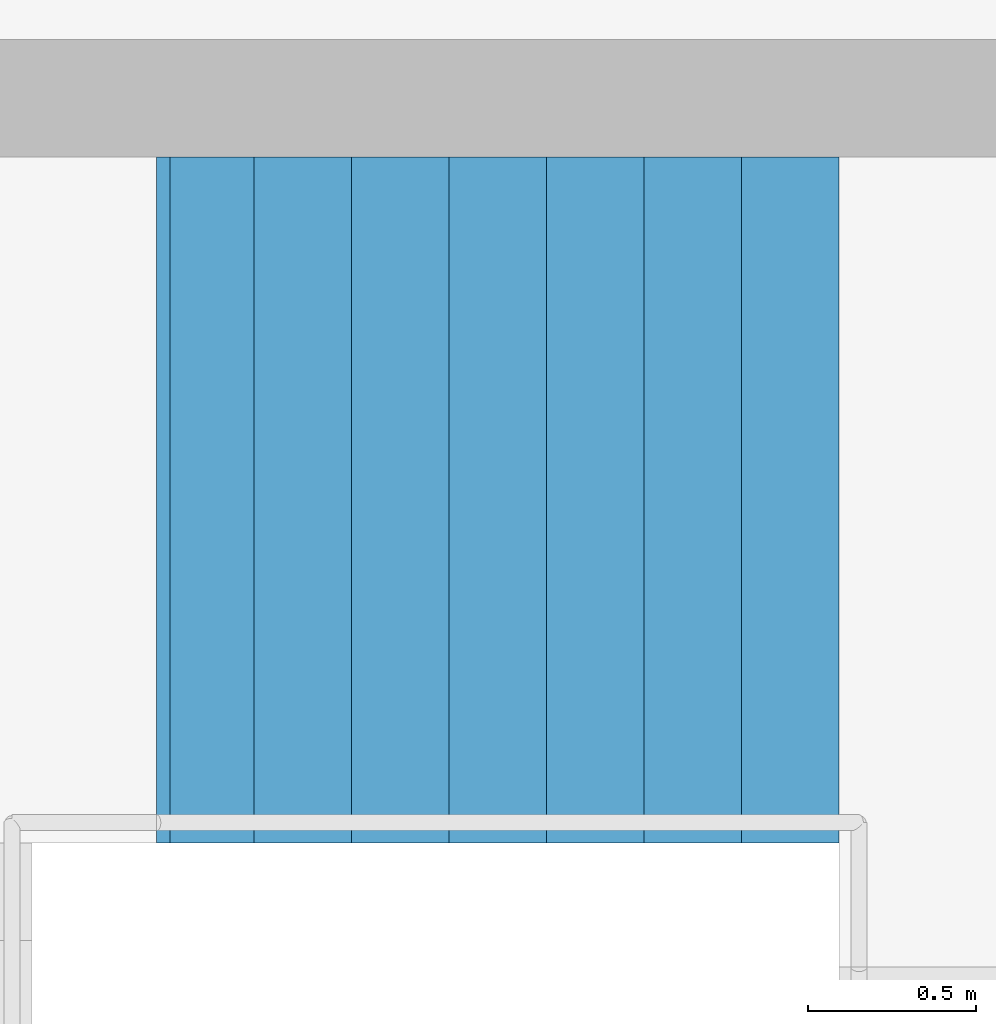
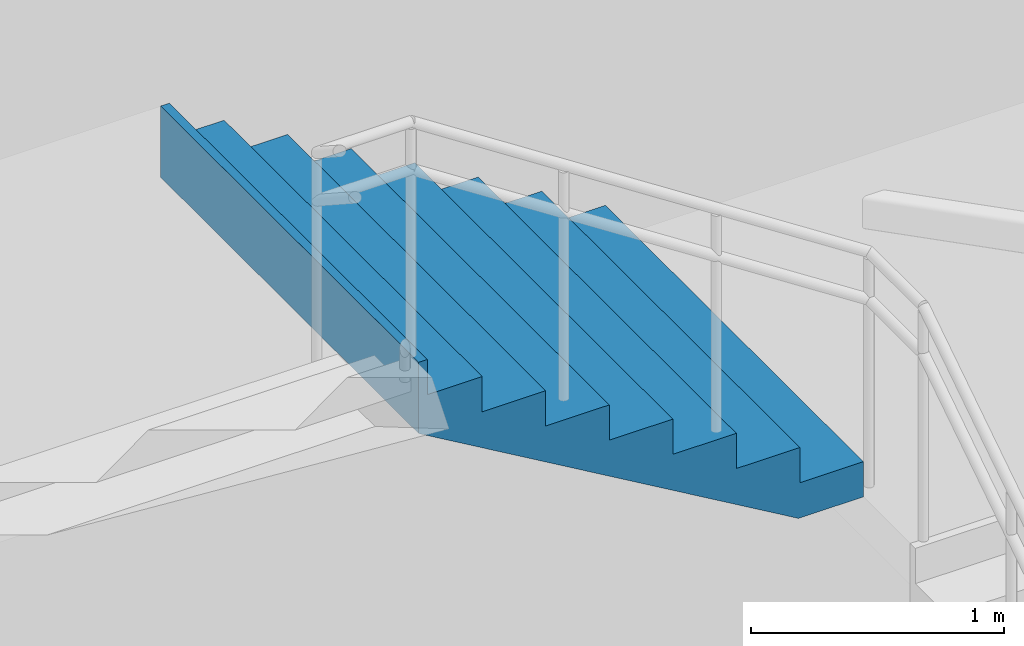
# One storey, part 56 of 72: 1 stair flight, 1 element without a shape of its own.
"""IFC4 building model written with IfcOpenShell, lengths in metres."""

from ifc_helpers import new_model, si_unit, direction, frame, origin, place, context, subcontext, project, spatial, triangles, material, type_object, element, aggregate, save


model = new_model("IFC4")

# Units and contexts
model_context = context("Model", 3, precision=1e-05, world=origin(), true_north=direction((0.0, 1.0)))
body_context = subcontext(model_context, "Body", "Model", "MODEL_VIEW")
ifc_project = project(units=[si_unit("LENGTHUNIT", "METRE"), si_unit("AREAUNIT", "SQUARE_METRE"), si_unit("VOLUMEUNIT", "CUBIC_METRE"), si_unit("PLANEANGLEUNIT", "RADIAN"), si_unit("MASSUNIT", "GRAM", prefix="KILO")], contexts=[model_context])

# Site, building, storey
site_placement = place(None, origin())
site = spatial("IfcSite", under=ifc_project, at=site_placement, CompositionType="ELEMENT")
building_placement = place(site_placement, origin())
building = spatial("IfcBuilding", under=site, at=building_placement, Name="Sillaruma Civic Art Gallery", CompositionType="ELEMENT")
storey_placement = place(building_placement, frame((0.0, 0.0, 10.8798828125)))
storey = spatial("IfcBuildingStorey", under=building, at=storey_placement, Name="L02", CompositionType="ELEMENT", Elevation=10.8798828125)

# Stair, stair flight
ifc_material = material(Name="Concrete H35 (35 MPa)", Category="concrete")
stair_type = type_object("IfcStairType", Name="STR-4F-32", PredefinedType="USERDEFINED", material=ifc_material)
stair_placement = place(storey_placement, origin())
stair = element("IfcStair", 1, at=stair_placement, inside=storey, type_object=stair_type, Name="Protected Exit Stair ST-04 (East Bar) (L02)", ObjectType="THREE_RETURN_STAIR", PredefinedType="USERDEFINED")
stair_flight_type = type_object("IfcStairFlightType", Name="SFL-STR-8", PredefinedType="STRAIGHT", material=ifc_material)
stair_flight_placement = place(storey_placement, frame((103.300048828125, 56.669921875, 2.72021484375), z_axis=(0.0, 0.0, 1.0), x_axis=(-1.0, 0.0, 0.0)))
stair_flight = element("IfcStairFlight", 2, at=stair_flight_placement, type_object=stair_flight_type, Name="ST-04 flight 3", NumberOfRisers=8, NumberOfTreads=7, PredefinedType="STRAIGHT", RiserHeight=0.17, TreadLength=0.29, context=body_context, shape_type="Tessellation", body=[
    triangles([(0.0, -1.02001953125, 0.0), (0.29, -1.02001953125, 0.0), (0.296443, -1.02001953125, 0.0), (0.58, -1.02001953125, 0.166223), (0.87, -1.02001953125, 0.336223), (1.16, -1.02001953125, 0.506223), (1.45, -1.02001953125, 0.676223), (1.74, -1.02001953125, 0.846223), (1.990029, -1.02001953125, 0.992792), (2.030029, -1.02001953125, 1.01624), (2.030029, -1.02001953125, 1.36), (1.990029, -1.02001953125, 1.36), (1.990029, -1.02001953125, 1.19), (1.74, -1.02001953125, 1.19), (1.74, -1.02001953125, 1.02), (1.45, -1.02001953125, 1.02), (1.45, -1.02001953125, 0.85), (1.16, -1.02001953125, 0.85), (1.16, -1.02001953125, 0.68), (0.87, -1.02001953125, 0.68), (0.87, -1.02001953125, 0.51), (0.58, -1.02001953125, 0.51), (0.58, -1.02001953125, 0.34), (0.296443, -1.02001953125, 0.34), (0.29, -1.02001953125, 0.34), (0.29, -1.02001953125, 0.17), (0.0, -1.02001953125, 0.17), (0.0, -0.05, 0.0), (0.29, -0.05, 0.0), (0.296443, -0.05, 0.0), (0.58, -0.05, 0.166223), (0.87, -0.05, 0.336223), (1.16, -0.05, 0.506223), (1.45, -0.05, 0.676223), (1.74, -0.05, 0.846223), (1.990029, -0.05, 0.992792), (2.030029, -0.05, 1.01624), (2.030029, -0.05, 1.36), (1.990029, -0.05, 1.36), (1.990029, -0.05, 1.19), (1.74, -0.05, 1.19), (1.74, -0.05, 1.02), (1.45, -0.05, 1.02), (1.45, -0.05, 0.85), (1.16, -0.05, 0.85), (1.16, -0.05, 0.68), (0.87, -0.05, 0.68), (0.87, -0.05, 0.51), (0.58, -0.05, 0.51), (0.58, -0.05, 0.34), (0.296443, -0.05, 0.34), (0.29, -0.05, 0.34), (0.29, -0.05, 0.17), (0.0, -0.05, 0.17), (0.0, -0.0375, 0.0), (0.29, -0.0375, 0.0), (0.296443, -0.0375, 0.0), (0.58, -0.0375, 0.166223), (0.87, -0.0375, 0.336223), (1.16, -0.0375, 0.506223), (1.45, -0.0375, 0.676223), (1.74, -0.0375, 0.846223), (1.990029, -0.0375, 0.992792), (2.030029, -0.0375, 1.01624), (2.030029, -0.0375, 1.36), (1.990029, -0.0375, 1.36), (1.990029, -0.0375, 1.19), (1.74, -0.0375, 1.19), (1.74, -0.0375, 1.02), (1.45, -0.0375, 1.02), (1.45, -0.0375, 0.85), (1.16, -0.0375, 0.85), (1.16, -0.0375, 0.68), (0.87, -0.0375, 0.68), (0.87, -0.0375, 0.51), (0.58, -0.0375, 0.51), (0.58, -0.0375, 0.34), (0.296443, -0.0375, 0.34), (0.29, -0.0375, 0.34), (0.29, -0.0375, 0.17), (0.0, -0.0375, 0.17), (0.0, -0.025, 0.0), (0.29, -0.025, 0.0), (0.296443, -0.025, 0.0), (0.58, -0.025, 0.166223), (0.87, -0.025, 0.336223), (1.16, -0.025, 0.506223), (1.45, -0.025, 0.676223), (1.74, -0.025, 0.846223), (1.990029, -0.025, 0.992792), (2.030029, -0.025, 1.01624), (2.030029, -0.025, 1.36), (1.990029, -0.025, 1.36), (1.990029, -0.025, 1.19), (1.74, -0.025, 1.19), (1.74, -0.025, 1.02), (1.45, -0.025, 1.02), (1.45, -0.025, 0.85), (1.16, -0.025, 0.85), (1.16, -0.025, 0.68), (0.87, -0.025, 0.68), (0.87, -0.025, 0.51), (0.58, -0.025, 0.51), (0.58, -0.025, 0.34), (0.296443, -0.025, 0.34), (0.29, -0.025, 0.34), (0.29, -0.025, 0.17), (0.0, -0.025, 0.17), (0.0, -0.0125, 0.0), (0.29, -0.0125, 0.0), (0.296443, -0.0125, 0.0), (0.58, -0.0125, 0.166223), (0.87, -0.0125, 0.336223), (1.16, -0.0125, 0.506223), (1.45, -0.0125, 0.676223), (1.74, -0.0125, 0.846223), (1.990029, -0.0125, 0.992792), (2.030029, -0.0125, 1.01624), (2.030029, -0.0125, 1.36), (1.990029, -0.0125, 1.36), (1.990029, -0.0125, 1.19), (1.74, -0.0125, 1.19), (1.74, -0.0125, 1.02), (1.45, -0.0125, 1.02), (1.45, -0.0125, 0.85), (1.16, -0.0125, 0.85), (1.16, -0.0125, 0.68), (0.87, -0.0125, 0.68), (0.87, -0.0125, 0.51), (0.58, -0.0125, 0.51), (0.58, -0.0125, 0.34), (0.296443, -0.0125, 0.34), (0.29, -0.0125, 0.34), (0.29, -0.0125, 0.17), (0.0, -0.0125, 0.17), (0.0, 0.0, 0.0), (0.29, 0.0, 0.0), (0.296443, 0.0, 0.0), (0.58, 0.0, 0.166223), (0.87, 0.0, 0.336223), (1.16, 0.0, 0.506223), (1.45, 0.0, 0.676223), (1.74, 0.0, 0.846223), (1.990029, 0.0, 0.992792), (2.030029, 0.0, 1.01624), (2.030029, 0.0, 1.36), (1.990029, 0.0, 1.36), (1.990029, 0.0, 1.19), (1.74, 0.0, 1.19), (1.74, 0.0, 1.02), (1.45, 0.0, 1.02), (1.45, 0.0, 0.85), (1.16, 0.0, 0.85), (1.16, 0.0, 0.68), (0.87, 0.0, 0.68), (0.87, 0.0, 0.51), (0.58, 0.0, 0.51), (0.58, 0.0, 0.34), (0.296443, 0.0, 0.34), (0.29, 0.0, 0.34), (0.29, 0.0, 0.17), (0.0, 0.0, 0.17), (0.0, 0.0125, 0.0), (0.29, 0.0125, 0.0), (0.296443, 0.0125, 0.0), (0.58, 0.0125, 0.166223), (0.87, 0.0125, 0.336223), (1.16, 0.0125, 0.506223), (1.45, 0.0125, 0.676223), (1.74, 0.0125, 0.846223), (1.990029, 0.0125, 0.992792), (2.030029, 0.0125, 1.01624), (2.030029, 0.0125, 1.36), (1.990029, 0.0125, 1.36), (1.990029, 0.0125, 1.19), (1.74, 0.0125, 1.19), (1.74, 0.0125, 1.02), (1.45, 0.0125, 1.02), (1.45, 0.0125, 0.85), (1.16, 0.0125, 0.85), (1.16, 0.0125, 0.68), (0.87, 0.0125, 0.68), (0.87, 0.0125, 0.51), (0.58, 0.0125, 0.51), (0.58, 0.0125, 0.34), (0.296443, 0.0125, 0.34), (0.29, 0.0125, 0.34), (0.29, 0.0125, 0.17), (0.0, 0.0125, 0.17), (0.0, 0.025, 0.0), (0.29, 0.025, 0.0), (0.296443, 0.025, 0.0), (0.58, 0.025, 0.166223), (0.87, 0.025, 0.336223), (1.16, 0.025, 0.506223), (1.45, 0.025, 0.676223), (1.74, 0.025, 0.846223), (1.990029, 0.025, 0.992792), (2.030029, 0.025, 1.01624), (2.030029, 0.025, 1.36), (1.990029, 0.025, 1.36), (1.990029, 0.025, 1.19), (1.74, 0.025, 1.19), (1.74, 0.025, 1.02), (1.45, 0.025, 1.02), (1.45, 0.025, 0.85), (1.16, 0.025, 0.85), (1.16, 0.025, 0.68), (0.87, 0.025, 0.68), (0.87, 0.025, 0.51), (0.58, 0.025, 0.51), (0.58, 0.025, 0.34), (0.296443, 0.025, 0.34), (0.29, 0.025, 0.34), (0.29, 0.025, 0.17), (0.0, 0.025, 0.17), (0.0, 0.0375, 0.0), (0.29, 0.0375, 0.0), (0.296443, 0.0375, 0.0), (0.58, 0.0375, 0.166223), (0.87, 0.0375, 0.336223), (1.16, 0.0375, 0.506223), (1.45, 0.0375, 0.676223), (1.74, 0.0375, 0.846223), (1.990029, 0.0375, 0.992792), (2.030029, 0.0375, 1.01624), (2.030029, 0.0375, 1.36), (1.990029, 0.0375, 1.36), (1.990029, 0.0375, 1.19), (1.74, 0.0375, 1.19), (1.74, 0.0375, 1.02), (1.45, 0.0375, 1.02), (1.45, 0.0375, 0.85), (1.16, 0.0375, 0.85), (1.16, 0.0375, 0.68), (0.87, 0.0375, 0.68), (0.87, 0.0375, 0.51), (0.58, 0.0375, 0.51), (0.58, 0.0375, 0.34), (0.296443, 0.0375, 0.34), (0.29, 0.0375, 0.34), (0.29, 0.0375, 0.17), (0.0, 0.0375, 0.17), (0.0, 0.05, 0.0), (0.29, 0.05, 0.0), (0.296443, 0.05, 0.0), (0.58, 0.05, 0.166223), (0.87, 0.05, 0.336223), (1.16, 0.05, 0.506223), (1.45, 0.05, 0.676223), (1.74, 0.05, 0.846223), (1.990029, 0.05, 0.992792), (2.030029, 0.05, 1.01624), (2.030029, 0.05, 1.36), (1.990029, 0.05, 1.36), (1.990029, 0.05, 1.19), (1.74, 0.05, 1.19), (1.74, 0.05, 1.02), (1.45, 0.05, 1.02), (1.45, 0.05, 0.85), (1.16, 0.05, 0.85), (1.16, 0.05, 0.68), (0.87, 0.05, 0.68), (0.87, 0.05, 0.51), (0.58, 0.05, 0.51), (0.58, 0.05, 0.34), (0.296443, 0.05, 0.34), (0.29, 0.05, 0.34), (0.29, 0.05, 0.17), (0.0, 0.05, 0.17), (0.0, 1.02001953125, 0.0), (0.29, 1.02001953125, 0.0), (0.296443, 1.02001953125, 0.0), (0.58, 1.02001953125, 0.166223), (0.87, 1.02001953125, 0.336223), (1.16, 1.02001953125, 0.506223), (1.45, 1.02001953125, 0.676223), (1.74, 1.02001953125, 0.846223), (1.990029, 1.02001953125, 0.992792), (2.030029, 1.02001953125, 1.01624), (2.030029, 1.02001953125, 1.36), (1.990029, 1.02001953125, 1.36), (1.990029, 1.02001953125, 1.19), (1.74, 1.02001953125, 1.19), (1.74, 1.02001953125, 1.02), (1.45, 1.02001953125, 1.02), (1.45, 1.02001953125, 0.85), (1.16, 1.02001953125, 0.85), (1.16, 1.02001953125, 0.68), (0.87, 1.02001953125, 0.68), (0.87, 1.02001953125, 0.51), (0.58, 1.02001953125, 0.51), (0.58, 1.02001953125, 0.34), (0.296443, 1.02001953125, 0.34), (0.29, 1.02001953125, 0.34), (0.29, 1.02001953125, 0.17), (0.0, 1.02001953125, 0.17)], [[1, 2, 26], [1, 26, 27], [2, 3, 24], [2, 24, 26], [26, 24, 25], [3, 4, 23], [3, 23, 24], [4, 5, 21], [4, 21, 23], [23, 21, 22], [5, 6, 19], [5, 19, 21], [21, 19, 20], [6, 7, 17], [6, 17, 19], [19, 17, 18], [7, 8, 15], [7, 15, 17], [17, 15, 16], [8, 9, 13], [8, 13, 15], [15, 13, 14], [9, 10, 11], [9, 11, 13], [13, 11, 12], [296, 272, 271], [297, 296, 271], [294, 273, 272], [296, 294, 272], [295, 294, 296], [293, 274, 273], [294, 293, 273], [291, 275, 274], [293, 291, 274], [292, 291, 293], [289, 276, 275], [291, 289, 275], [290, 289, 291], [287, 277, 276], [289, 287, 276], [288, 287, 289], [285, 278, 277], [287, 285, 277], [286, 285, 287], [283, 279, 278], [285, 283, 278], [284, 283, 285], [281, 280, 279], [283, 281, 279], [282, 281, 283], [2, 1, 28], [2, 28, 29], [3, 2, 29], [3, 29, 30], [4, 3, 30], [4, 30, 31], [5, 4, 31], [5, 31, 32], [6, 5, 32], [6, 32, 33], [7, 6, 33], [7, 33, 34], [8, 7, 34], [8, 34, 35], [9, 8, 35], [9, 35, 36], [10, 9, 36], [10, 36, 37], [11, 10, 37], [11, 37, 38], [12, 11, 38], [12, 38, 39], [13, 12, 39], [13, 39, 40], [14, 13, 40], [14, 40, 41], [15, 14, 41], [15, 41, 42], [16, 15, 42], [16, 42, 43], [17, 16, 43], [17, 43, 44], [18, 17, 44], [18, 44, 45], [19, 18, 45], [19, 45, 46], [20, 19, 46], [20, 46, 47], [21, 20, 47], [21, 47, 48], [22, 21, 48], [22, 48, 49], [23, 22, 49], [23, 49, 50], [24, 23, 50], [24, 50, 51], [25, 24, 51], [25, 51, 52], [26, 25, 52], [26, 52, 53], [27, 26, 53], [27, 53, 54], [1, 27, 54], [1, 54, 28], [29, 28, 55], [29, 55, 56], [30, 29, 56], [30, 56, 57], [31, 30, 57], [31, 57, 58], [32, 31, 58], [32, 58, 59], [33, 32, 59], [33, 59, 60], [34, 33, 60], [34, 60, 61], [35, 34, 61], [35, 61, 62], [36, 35, 62], [36, 62, 63], [37, 36, 63], [37, 63, 64], [38, 37, 64], [38, 64, 65], [39, 38, 65], [39, 65, 66], [40, 39, 66], [40, 66, 67], [41, 40, 67], [41, 67, 68], [42, 41, 68], [42, 68, 69], [43, 42, 69], [43, 69, 70], [44, 43, 70], [44, 70, 71], [45, 44, 71], [45, 71, 72], [46, 45, 72], [46, 72, 73], [47, 46, 73], [47, 73, 74], [48, 47, 74], [48, 74, 75], [49, 48, 75], [49, 75, 76], [50, 49, 76], [50, 76, 77], [51, 50, 77], [51, 77, 78], [52, 51, 78], [52, 78, 79], [53, 52, 79], [53, 79, 80], [54, 53, 80], [54, 80, 81], [28, 54, 81], [28, 81, 55], [56, 55, 82], [56, 82, 83], [57, 56, 83], [57, 83, 84], [58, 57, 84], [58, 84, 85], [59, 58, 85], [59, 85, 86], [60, 59, 86], [60, 86, 87], [61, 60, 87], [61, 87, 88], [62, 61, 88], [62, 88, 89], [63, 62, 89], [63, 89, 90], [64, 63, 90], [64, 90, 91], [65, 64, 91], [65, 91, 92], [66, 65, 92], [66, 92, 93], [67, 66, 93], [67, 93, 94], [68, 67, 94], [68, 94, 95], [69, 68, 95], [69, 95, 96], [70, 69, 96], [70, 96, 97], [71, 70, 97], [71, 97, 98], [72, 71, 98], [72, 98, 99], [73, 72, 99], [73, 99, 100], [74, 73, 100], [74, 100, 101], [75, 74, 101], [75, 101, 102], [76, 75, 102], [76, 102, 103], [77, 76, 103], [77, 103, 104], [78, 77, 104], [78, 104, 105], [79, 78, 105], [79, 105, 106], [80, 79, 106], [80, 106, 107], [81, 80, 107], [81, 107, 108], [55, 81, 108], [55, 108, 82], [83, 82, 109], [83, 109, 110], [84, 83, 110], [84, 110, 111], [85, 84, 111], [85, 111, 112], [86, 85, 112], [86, 112, 113], [87, 86, 113], [87, 113, 114], [88, 87, 114], [88, 114, 115], [89, 88, 115], [89, 115, 116], [90, 89, 116], [90, 116, 117], [91, 90, 117], [91, 117, 118], [92, 91, 118], [92, 118, 119], [93, 92, 119], [93, 119, 120], [94, 93, 120], [94, 120, 121], [95, 94, 121], [95, 121, 122], [96, 95, 122], [96, 122, 123], [97, 96, 123], [97, 123, 124], [98, 97, 124], [98, 124, 125], [99, 98, 125], [99, 125, 126], [100, 99, 126], [100, 126, 127], [101, 100, 127], [101, 127, 128], [102, 101, 128], [102, 128, 129], [103, 102, 129], [103, 129, 130], [104, 103, 130], [104, 130, 131], [105, 104, 131], [105, 131, 132], [106, 105, 132], [106, 132, 133], [107, 106, 133], [107, 133, 134], [108, 107, 134], [108, 134, 135], [82, 108, 135], [82, 135, 109], [110, 109, 136], [110, 136, 137], [111, 110, 137], [111, 137, 138], [112, 111, 138], [112, 138, 139], [113, 112, 139], [113, 139, 140], [114, 113, 140], [114, 140, 141], [115, 114, 141], [115, 141, 142], [116, 115, 142], [116, 142, 143], [117, 116, 143], [117, 143, 144], [118, 117, 144], [118, 144, 145], [119, 118, 145], [119, 145, 146], [120, 119, 146], [120, 146, 147], [121, 120, 147], [121, 147, 148], [122, 121, 148], [122, 148, 149], [123, 122, 149], [123, 149, 150], [124, 123, 150], [124, 150, 151], [125, 124, 151], [125, 151, 152], [126, 125, 152], [126, 152, 153], [127, 126, 153], [127, 153, 154], [128, 127, 154], [128, 154, 155], [129, 128, 155], [129, 155, 156], [130, 129, 156], [130, 156, 157], [131, 130, 157], [131, 157, 158], [132, 131, 158], [132, 158, 159], [133, 132, 159], [133, 159, 160], [134, 133, 160], [134, 160, 161], [135, 134, 161], [135, 161, 162], [109, 135, 162], [109, 162, 136], [137, 136, 163], [137, 163, 164], [138, 137, 164], [138, 164, 165], [139, 138, 165], [139, 165, 166], [140, 139, 166], [140, 166, 167], [141, 140, 167], [141, 167, 168], [142, 141, 168], [142, 168, 169], [143, 142, 169], [143, 169, 170], [144, 143, 170], [144, 170, 171], [145, 144, 171], [145, 171, 172], [146, 145, 172], [146, 172, 173], [147, 146, 173], [147, 173, 174], [148, 147, 174], [148, 174, 175], [149, 148, 175], [149, 175, 176], [150, 149, 176], [150, 176, 177], [151, 150, 177], [151, 177, 178], [152, 151, 178], [152, 178, 179], [153, 152, 179], [153, 179, 180], [154, 153, 180], [154, 180, 181], [155, 154, 181], [155, 181, 182], [156, 155, 182], [156, 182, 183], [157, 156, 183], [157, 183, 184], [158, 157, 184], [158, 184, 185], [159, 158, 185], [159, 185, 186], [160, 159, 186], [160, 186, 187], [161, 160, 187], [161, 187, 188], [162, 161, 188], [162, 188, 189], [136, 162, 189], [136, 189, 163], [164, 163, 190], [164, 190, 191], [165, 164, 191], [165, 191, 192], [166, 165, 192], [166, 192, 193], [167, 166, 193], [167, 193, 194], [168, 167, 194], [168, 194, 195], [169, 168, 195], [169, 195, 196], [170, 169, 196], [170, 196, 197], [171, 170, 197], [171, 197, 198], [172, 171, 198], [172, 198, 199], [173, 172, 199], [173, 199, 200], [174, 173, 200], [174, 200, 201], [175, 174, 201], [175, 201, 202], [176, 175, 202], [176, 202, 203], [177, 176, 203], [177, 203, 204], [178, 177, 204], [178, 204, 205], [179, 178, 205], [179, 205, 206], [180, 179, 206], [180, 206, 207], [181, 180, 207], [181, 207, 208], [182, 181, 208], [182, 208, 209], [183, 182, 209], [183, 209, 210], [184, 183, 210], [184, 210, 211], [185, 184, 211], [185, 211, 212], [186, 185, 212], [186, 212, 213], [187, 186, 213], [187, 213, 214], [188, 187, 214], [188, 214, 215], [189, 188, 215], [189, 215, 216], [163, 189, 216], [163, 216, 190], [191, 190, 217], [191, 217, 218], [192, 191, 218], [192, 218, 219], [193, 192, 219], [193, 219, 220], [194, 193, 220], [194, 220, 221], [195, 194, 221], [195, 221, 222], [196, 195, 222], [196, 222, 223], [197, 196, 223], [197, 223, 224], [198, 197, 224], [198, 224, 225], [199, 198, 225], [199, 225, 226], [200, 199, 226], [200, 226, 227], [201, 200, 227], [201, 227, 228], [202, 201, 228], [202, 228, 229], [203, 202, 229], [203, 229, 230], [204, 203, 230], [204, 230, 231], [205, 204, 231], [205, 231, 232], [206, 205, 232], [206, 232, 233], [207, 206, 233], [207, 233, 234], [208, 207, 234], [208, 234, 235], [209, 208, 235], [209, 235, 236], [210, 209, 236], [210, 236, 237], [211, 210, 237], [211, 237, 238], [212, 211, 238], [212, 238, 239], [213, 212, 239], [213, 239, 240], [214, 213, 240], [214, 240, 241], [215, 214, 241], [215, 241, 242], [216, 215, 242], [216, 242, 243], [190, 216, 243], [190, 243, 217], [218, 217, 244], [218, 244, 245], [219, 218, 245], [219, 245, 246], [220, 219, 246], [220, 246, 247], [221, 220, 247], [221, 247, 248], [222, 221, 248], [222, 248, 249], [223, 222, 249], [223, 249, 250], [224, 223, 250], [224, 250, 251], [225, 224, 251], [225, 251, 252], [226, 225, 252], [226, 252, 253], [227, 226, 253], [227, 253, 254], [228, 227, 254], [228, 254, 255], [229, 228, 255], [229, 255, 256], [230, 229, 256], [230, 256, 257], [231, 230, 257], [231, 257, 258], [232, 231, 258], [232, 258, 259], [233, 232, 259], [233, 259, 260], [234, 233, 260], [234, 260, 261], [235, 234, 261], [235, 261, 262], [236, 235, 262], [236, 262, 263], [237, 236, 263], [237, 263, 264], [238, 237, 264], [238, 264, 265], [239, 238, 265], [239, 265, 266], [240, 239, 266], [240, 266, 267], [241, 240, 267], [241, 267, 268], [242, 241, 268], [242, 268, 269], [243, 242, 269], [243, 269, 270], [217, 243, 270], [217, 270, 244], [245, 244, 271], [245, 271, 272], [246, 245, 272], [246, 272, 273], [247, 246, 273], [247, 273, 274], [248, 247, 274], [248, 274, 275], [249, 248, 275], [249, 275, 276], [250, 249, 276], [250, 276, 277], [251, 250, 277], [251, 277, 278], [252, 251, 278], [252, 278, 279], [253, 252, 279], [253, 279, 280], [254, 253, 280], [254, 280, 281], [255, 254, 281], [255, 281, 282], [256, 255, 282], [256, 282, 283], [257, 256, 283], [257, 283, 284], [258, 257, 284], [258, 284, 285], [259, 258, 285], [259, 285, 286], [260, 259, 286], [260, 286, 287], [261, 260, 287], [261, 287, 288], [262, 261, 288], [262, 288, 289], [263, 262, 289], [263, 289, 290], [264, 263, 290], [264, 290, 291], [265, 264, 291], [265, 291, 292], [266, 265, 292], [266, 292, 293], [267, 266, 293], [267, 293, 294], [268, 267, 294], [268, 294, 295], [269, 268, 295], [269, 295, 296], [270, 269, 296], [270, 296, 297], [244, 270, 297], [244, 297, 271]], closed=True),
])
aggregate(stair, [stair_flight])

save(model, "model.ifc")
